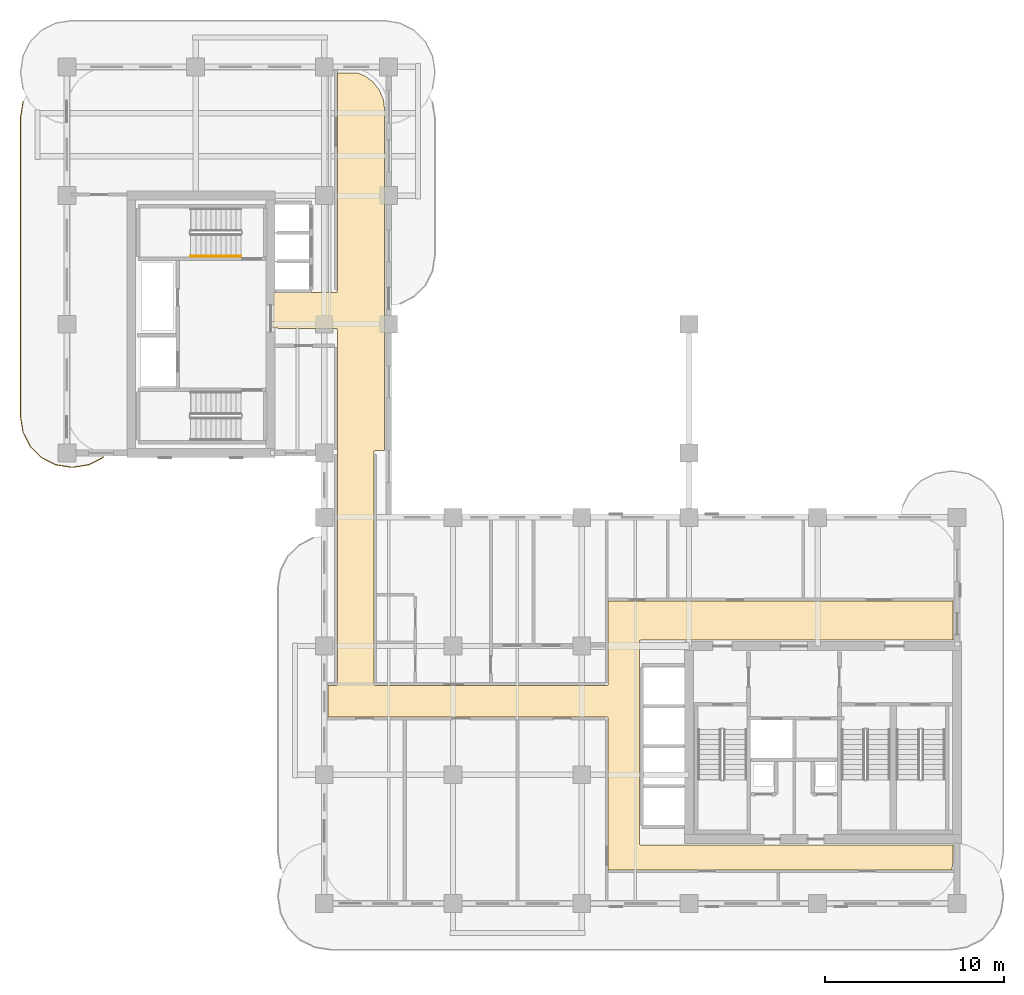
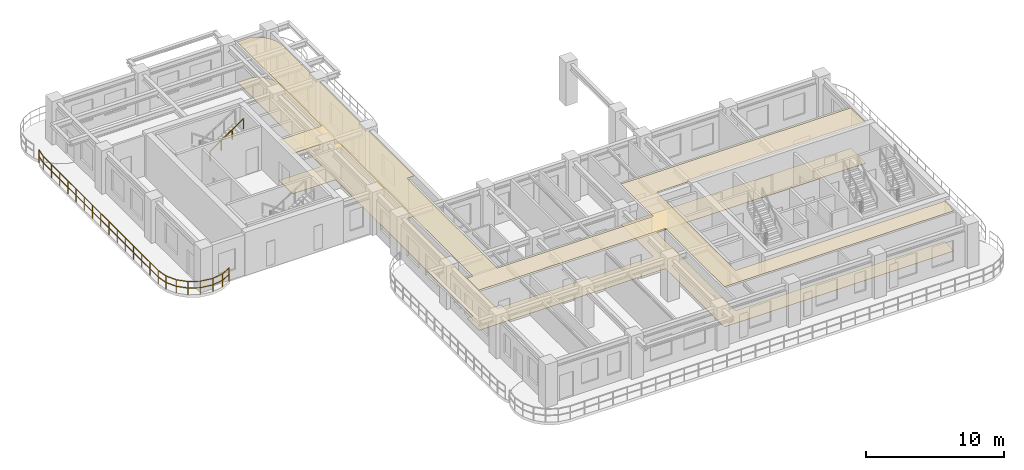
# One storey, part 14 of 15: 2 coverings, 2 railings.
"""IFC4 building model written with IfcOpenShell, lengths in metres."""

from ifc_helpers import new_model, si_unit, derived_unit, direction, frame, origin, origin_2d, place, context, subcontext, project, spatial, polyline, rectangle, outline, extrude, material, layer, layer_set, type_object, element, save


model = new_model("IFC4")

# Units and contexts
model_context = context("Model", 3, precision=1e-05, world=origin(), true_north=direction((0.0, 1.0)))
body_context = subcontext(model_context, "Body", "Model", "MODEL_VIEW")
ifc_project = project(units=[si_unit("LENGTHUNIT", "METRE"), si_unit("AREAUNIT", "SQUARE_METRE"), si_unit("VOLUMEUNIT", "CUBIC_METRE"), si_unit("PLANEANGLEUNIT", "RADIAN"), si_unit("MASSUNIT", "GRAM", prefix="KILO"), si_unit("THERMODYNAMICTEMPERATUREUNIT", "KELVIN"), si_unit("POWERUNIT", "WATT"), derived_unit("THERMALTRANSMITTANCEUNIT", [(si_unit("POWERUNIT", "WATT"), 1), (si_unit("AREAUNIT", "SQUARE_METRE"), -1), (si_unit("THERMODYNAMICTEMPERATUREUNIT", "KELVIN"), -1)])], contexts=[model_context])

# Site, building, storey
site_placement = place(None, origin())
site = spatial("IfcSite", under=ifc_project, at=site_placement, CompositionType="ELEMENT")
building_placement = place(site_placement, origin())
building = spatial("IfcBuilding", under=site, at=building_placement, Name="Zahravan Archway Hotel and Residences", CompositionType="ELEMENT")
storey_placement = place(building_placement, frame((0.0, 0.0, 184.949951171875)))
storey = spatial("IfcBuildingStorey", under=building, at=storey_placement, Name="L46", CompositionType="ELEMENT", Elevation=184.949951171875)

# Coverings
ifc_material_1 = material(Name="Perforated Acoustic Gypsum Ceiling")
ifc_layer_1 = layer(ifc_material_1, 0.02490234375, Name="Perforated Acoustic Gypsum Ceiling")
ifc_layer_set_1 = layer_set([ifc_layer_1], Name="Perforated Acoustic Gypsum Ceiling")
covering_type_1 = type_object("IfcCoveringType", Name="COV-CEIL-ACST", PredefinedType="CEILING", material=ifc_layer_set_1)
covering_1_placement = place(storey_placement, frame((0.0, 0.0, 3.574951171875)))
element("IfcCovering", 1, at=covering_1_placement, inside=storey, type_object=covering_type_1, Name="L46 Acoustic Corridor Ceiling", PredefinedType="CEILING", context=body_context, shape_type="SweptSolid", body=[
    extrude(outline(polyline([(32.09228515625, 14.7294921875), (32.04931640625, 14.7119140625), (32.0234375, 14.673095703125), (32.02001953125, 3.35009765625), (32.033447265625, 3.3056640625), (32.0693359375, 3.276123046875), (49.580078125, 3.27001953125), (49.580078125, 2.414306640625), (49.509521484375, 1.8798828125), (30.280029296875, 1.8798828125), (30.280029296875, 10.35009765625), (30.2666015625, 10.394287109375), (30.230712890625, 10.423828125), (14.6201171875, 10.429931640625), (14.6201171875, 12.18994140625), (15.050048828125, 12.18994140625), (15.094482421875, 12.20361328125), (15.123779296875, 12.239501953125), (15.1298828125, 32.10009765625), (15.116455078125, 32.144287109375), (15.08056640625, 32.173828125), (11.530029296875, 32.179931640625), (11.530029296875, 34.169921875), (15.050048828125, 34.169921875), (15.094482421875, 34.18359375), (15.123779296875, 34.219482421875), (15.1298828125, 46.469970703125), (16.24560546875, 46.469970703125), (16.689208984375, 46.286376953125), (17.14013671875, 45.940185546875), (17.486328125, 45.489013671875), (17.703857421875, 44.9638671875), (17.77001953125, 44.46142578125), (17.77001953125, 25.330078125), (17.25, 25.330078125), (17.20556640625, 25.31640625), (17.176025390625, 25.280517578125), (17.169921875, 12.27001953125), (17.18359375, 12.2255859375), (17.219482421875, 12.196044921875), (30.199951171875, 12.18994140625), (30.244384765625, 12.20361328125), (30.27392578125, 12.239501953125), (30.280029296875, 16.919921875), (49.580078125, 16.919921875), (49.580078125, 14.72998046875), (32.10009765625, 14.72998046875), (32.09228515625, 14.7294921875)])), origin(), (0.0, 0.0, 1.0), 0.025146484375),
])
ifc_material_2 = material(Name="Honed Margalla Limestone & Mortar Bed", Category="masonry")
ifc_layer_2 = layer(ifc_material_2, 0.030029296875, Name="Honed Margalla Limestone & Mortar Bed", Category="masonry")
ifc_layer_set_2 = layer_set([ifc_layer_2], Name="Honed Margalla Limestone & Mortar Bed")
covering_type_2 = type_object("IfcCoveringType", Name="COV-FLR-STONE", PredefinedType="FLOORING", material=ifc_layer_set_2)
covering_2_placement = place(storey_placement, origin())
element("IfcCovering", 2, at=covering_2_placement, inside=storey, type_object=covering_type_2, Name="L46 Circulation Floor Finish", PredefinedType="FLOORING", context=body_context, shape_type="SweptSolid", body=[
    extrude(outline(polyline([(32.09228515625, 14.7294921875), (32.04931640625, 14.7119140625), (32.0234375, 14.673095703125), (32.02001953125, 3.35009765625), (32.033447265625, 3.3056640625), (32.0693359375, 3.276123046875), (49.580078125, 3.27001953125), (49.580078125, 2.414306640625), (49.509521484375, 1.8798828125), (30.280029296875, 1.8798828125), (30.280029296875, 10.35009765625), (30.2666015625, 10.394287109375), (30.230712890625, 10.423828125), (14.6201171875, 10.429931640625), (14.6201171875, 12.18994140625), (15.050048828125, 12.18994140625), (15.094482421875, 12.20361328125), (15.123779296875, 12.239501953125), (15.1298828125, 32.10009765625), (15.116455078125, 32.144287109375), (15.08056640625, 32.173828125), (11.530029296875, 32.179931640625), (11.530029296875, 34.169921875), (15.050048828125, 34.169921875), (15.094482421875, 34.18359375), (15.123779296875, 34.219482421875), (15.1298828125, 46.469970703125), (16.24560546875, 46.469970703125), (16.689208984375, 46.286376953125), (17.14013671875, 45.940185546875), (17.486328125, 45.489013671875), (17.703857421875, 44.9638671875), (17.77001953125, 44.46142578125), (17.77001953125, 25.330078125), (17.25, 25.330078125), (17.20556640625, 25.31640625), (17.176025390625, 25.280517578125), (17.169921875, 12.27001953125), (17.18359375, 12.2255859375), (17.219482421875, 12.196044921875), (30.199951171875, 12.18994140625), (30.244384765625, 12.20361328125), (30.27392578125, 12.239501953125), (30.280029296875, 16.919921875), (49.580078125, 16.919921875), (49.580078125, 14.72998046875), (32.10009765625, 14.72998046875), (32.09228515625, 14.7294921875)])), origin(), (0.0, 0.0, 1.0), 0.030029296875),
])

# Railings
ifc_material_3 = material(Name="Bronze & Laminated Glass Balustrade", Category="glass")
railing_type_1 = type_object("IfcRailingType", Name="RL-BAL-1200", PredefinedType="BALUSTRADE", material=ifc_material_3)
railing_1_placement = place(storey_placement, frame((2.025146484375, 24.9443359375, 0.0)))
element("IfcRailing", 3, at=railing_1_placement, inside=storey, type_object=railing_type_1, Name="L46 Balustrade RL-SLB-BAL-L46-WB-1", PredefinedType="BALUSTRADE", context=body_context, shape_type="SweptSolid", body=[
    extrude(rectangle(XDim=0.048095703125, YDim=0.048095703125, at=origin_2d()), frame((0.0, 0.0, 1.17578125), z_axis=(-0.891006060389, -0.453991409995, 0.0), x_axis=(0.453991409995, -0.891006060389, 0.0)), (0.0, 0.0, 1.0), 0.8916015625),
    extrude(rectangle(XDim=0.048095703125, YDim=0.048095703125, at=origin_2d()), frame((0.0, 0.0, 0.60009765625), z_axis=(-0.891006060389, -0.453991409995, 0.0), x_axis=(0.453991409995, -0.891006060389, 0.0)), (0.0, 0.0, 1.0), 0.8916015625),
    extrude(rectangle(XDim=0.048095703125, YDim=0.048095703125, at=origin_2d()), frame((-0.79443359375, -0.40478515625, 1.17578125), z_axis=(-0.987658397726, -0.156623399917, 0.0), x_axis=(0.156623399917, -0.987658397726, 0.0)), (0.0, 0.0, 1.0), 0.8916015625),
    extrude(rectangle(XDim=0.048095703125, YDim=0.048095703125, at=origin_2d()), frame((-0.79443359375, -0.40478515625, 0.60009765625), z_axis=(-0.987658397726, -0.156623399917, 0.0), x_axis=(0.156623399917, -0.987658397726, 0.0)), (0.0, 0.0, 1.0), 0.8916015625),
    extrude(rectangle(XDim=0.048095703125, YDim=0.048095703125, at=origin_2d()), frame((-1.675048828125, -0.54443359375, 1.17578125), z_axis=(-1.0, 0.0, 0.0), x_axis=(0.0, -1.0, 0.0)), (0.0, 0.0, 1.0), 0.10009765625),
    extrude(rectangle(XDim=0.048095703125, YDim=0.048095703125, at=origin_2d()), frame((-1.675048828125, -0.54443359375, 0.60009765625), z_axis=(-1.0, 0.0, 0.0), x_axis=(0.0, -1.0, 0.0)), (0.0, 0.0, 1.0), 0.10009765625),
    extrude(rectangle(XDim=0.048095703125, YDim=0.048095703125, at=origin_2d()), frame((-1.775146484375, -0.54443359375, 1.17578125), z_axis=(-0.987658397726, 0.156623399917, 0.0), x_axis=(-0.156623399917, -0.987658397726, 0.0)), (0.0, 0.0, 1.0), 0.8916015625),
    extrude(rectangle(XDim=0.048095703125, YDim=0.048095703125, at=origin_2d()), frame((-1.775146484375, -0.54443359375, 0.60009765625), z_axis=(-0.987658397726, 0.156623399917, 0.0), x_axis=(-0.156623399917, -0.987658397726, 0.0)), (0.0, 0.0, 1.0), 0.8916015625),
    extrude(rectangle(XDim=0.048095703125, YDim=0.048095703125, at=origin_2d()), frame((-2.65576171875, -0.40478515625, 1.17578125), z_axis=(-0.891062476022, 0.45388067135, 0.0), x_axis=(-0.45388067135, -0.891062476022, 0.0)), (0.0, 0.0, 1.0), 0.891845703125),
    extrude(rectangle(XDim=0.048095703125, YDim=0.048095703125, at=origin_2d()), frame((-2.65576171875, -0.40478515625, 0.60009765625), z_axis=(-0.891062476022, 0.45388067135, 0.0), x_axis=(-0.45388067135, -0.891062476022, 0.0)), (0.0, 0.0, 1.0), 0.891845703125),
    extrude(rectangle(XDim=0.048095703125, YDim=0.048095703125, at=origin_2d()), frame((-3.450439453125, 0.0, 1.17578125), z_axis=(-0.707106781187, 0.707106781187, 0.0), x_axis=(-0.707106781187, -0.707106781187, 0.0)), (0.0, 0.0, 1.0), 0.891357421875),
    extrude(rectangle(XDim=0.048095703125, YDim=0.048095703125, at=origin_2d()), frame((-3.450439453125, 0.0, 0.60009765625), z_axis=(-0.707106781187, 0.707106781187, 0.0), x_axis=(-0.707106781187, -0.707106781187, 0.0)), (0.0, 0.0, 1.0), 0.891357421875),
    extrude(rectangle(XDim=0.048095703125, YDim=0.048095703125, at=origin_2d()), frame((-4.080810546875, 0.63037109375, 1.17578125), z_axis=(-0.45388067135, 0.891062476022, 0.0), x_axis=(-0.891062476022, -0.45388067135, 0.0)), (0.0, 0.0, 1.0), 0.891845703125),
    extrude(rectangle(XDim=0.048095703125, YDim=0.048095703125, at=origin_2d()), frame((-4.080810546875, 0.63037109375, 0.60009765625), z_axis=(-0.45388067135, 0.891062476022, 0.0), x_axis=(-0.891062476022, -0.45388067135, 0.0)), (0.0, 0.0, 1.0), 0.891845703125),
    extrude(rectangle(XDim=0.048095703125, YDim=0.048095703125, at=origin_2d()), frame((-4.485595703125, 1.425048828125, 1.17578125), z_axis=(-0.156623399917, 0.987658397726, 0.0), x_axis=(-0.987658397726, -0.156623399917, 0.0)), (0.0, 0.0, 1.0), 0.8916015625),
    extrude(rectangle(XDim=0.048095703125, YDim=0.048095703125, at=origin_2d()), frame((-4.485595703125, 1.425048828125, 0.60009765625), z_axis=(-0.156623399917, 0.987658397726, 0.0), x_axis=(-0.987658397726, -0.156623399917, 0.0)), (0.0, 0.0, 1.0), 0.8916015625),
    extrude(rectangle(XDim=0.048095703125, YDim=0.048095703125, at=origin_2d()), frame((-4.625244140625, 2.3056640625, 1.17578125), z_axis=(0.0, 1.0, 0.0), x_axis=(-1.0, 0.0, 0.0)), (0.0, 0.0, 1.0), 16.699951171875),
    extrude(rectangle(XDim=0.048095703125, YDim=0.048095703125, at=origin_2d()), frame((-4.625244140625, 2.3056640625, 0.60009765625), z_axis=(0.0, 1.0, 0.0), x_axis=(-1.0, 0.0, 0.0)), (0.0, 0.0, 1.0), 16.699951171875),
    extrude(rectangle(XDim=0.048095703125, YDim=0.048095703125, at=origin_2d()), frame((-4.625244140625, 19.005615234375, 1.17578125), z_axis=(0.156581054338, 0.98766511198, 0.0), x_axis=(-0.98766511198, 0.156581054338, 0.0)), (0.0, 0.0, 1.0), 0.891845703125),
    extrude(rectangle(XDim=0.048095703125, YDim=0.048095703125, at=origin_2d()), frame((-4.625244140625, 19.005615234375, 0.60009765625), z_axis=(0.156581054338, 0.98766511198, 0.0), x_axis=(-0.98766511198, 0.156581054338, 0.0)), (0.0, 0.0, 1.0), 0.891845703125),
    extrude(rectangle(XDim=0.0419921875, YDim=0.0419921875, at=origin_2d()), origin(), (0.0, 0.0, 1.0), 1.15185546875),
    extrude(rectangle(XDim=0.0419921875, YDim=0.0419921875, at=origin_2d()), frame((-0.79443359375, -0.40478515625, 0.0)), (0.0, 0.0, 1.0), 1.15185546875),
    extrude(rectangle(XDim=0.0419921875, YDim=0.0419921875, at=origin_2d()), frame((-1.675048828125, -0.54443359375, 0.0)), (0.0, 0.0, 1.0), 1.15185546875),
    extrude(rectangle(XDim=0.0419921875, YDim=0.0419921875, at=origin_2d()), frame((-2.65576171875, -0.40478515625, 0.0)), (0.0, 0.0, 1.0), 1.15185546875),
    extrude(rectangle(XDim=0.0419921875, YDim=0.0419921875, at=origin_2d()), frame((-3.450439453125, 0.0, 0.0)), (0.0, 0.0, 1.0), 1.15185546875),
    extrude(rectangle(XDim=0.0419921875, YDim=0.0419921875, at=origin_2d()), frame((-4.080810546875, 0.63037109375, 0.0)), (0.0, 0.0, 1.0), 1.15185546875),
    extrude(rectangle(XDim=0.0419921875, YDim=0.0419921875, at=origin_2d()), frame((-4.485595703125, 1.425048828125, 0.0)), (0.0, 0.0, 1.0), 1.15185546875),
    extrude(rectangle(XDim=0.0419921875, YDim=0.0419921875, at=origin_2d()), frame((-4.625244140625, 2.3056640625, 0.0)), (0.0, 0.0, 1.0), 1.15185546875),
    extrude(rectangle(XDim=0.0419921875, YDim=0.0419921875, at=origin_2d()), frame((-4.625244140625, 3.49853515625, 0.0)), (0.0, 0.0, 1.0), 1.15185546875),
    extrude(rectangle(XDim=0.0419921875, YDim=0.0419921875, at=origin_2d()), frame((-4.625244140625, 4.69140625, 0.0)), (0.0, 0.0, 1.0), 1.15185546875),
    extrude(rectangle(XDim=0.0419921875, YDim=0.0419921875, at=origin_2d()), frame((-4.625244140625, 5.88427734375, 0.0)), (0.0, 0.0, 1.0), 1.15185546875),
    extrude(rectangle(XDim=0.0419921875, YDim=0.0419921875, at=origin_2d()), frame((-4.625244140625, 7.0771484375, 0.0)), (0.0, 0.0, 1.0), 1.15185546875),
    extrude(rectangle(XDim=0.0419921875, YDim=0.0419921875, at=origin_2d()), frame((-4.625244140625, 8.27001953125, 0.0)), (0.0, 0.0, 1.0), 1.15185546875),
    extrude(rectangle(XDim=0.0419921875, YDim=0.0419921875, at=origin_2d()), frame((-4.625244140625, 9.462890625, 0.0)), (0.0, 0.0, 1.0), 1.15185546875),
    extrude(rectangle(XDim=0.0419921875, YDim=0.0419921875, at=origin_2d()), frame((-4.625244140625, 10.65576171875, 0.0)), (0.0, 0.0, 1.0), 1.15185546875),
    extrude(rectangle(XDim=0.0419921875, YDim=0.0419921875, at=origin_2d()), frame((-4.625244140625, 11.848388671875, 0.0)), (0.0, 0.0, 1.0), 1.15185546875),
    extrude(rectangle(XDim=0.0419921875, YDim=0.0419921875, at=origin_2d()), frame((-4.625244140625, 13.041259765625, 0.0)), (0.0, 0.0, 1.0), 1.15185546875),
    extrude(rectangle(XDim=0.0419921875, YDim=0.0419921875, at=origin_2d()), frame((-4.625244140625, 14.234130859375, 0.0)), (0.0, 0.0, 1.0), 1.15185546875),
    extrude(rectangle(XDim=0.0419921875, YDim=0.0419921875, at=origin_2d()), frame((-4.625244140625, 15.427001953125, 0.0)), (0.0, 0.0, 1.0), 1.15185546875),
    extrude(rectangle(XDim=0.0419921875, YDim=0.0419921875, at=origin_2d()), frame((-4.625244140625, 16.619873046875, 0.0)), (0.0, 0.0, 1.0), 1.15185546875),
    extrude(rectangle(XDim=0.0419921875, YDim=0.0419921875, at=origin_2d()), frame((-4.625244140625, 17.812744140625, 0.0)), (0.0, 0.0, 1.0), 1.15185546875),
    extrude(rectangle(XDim=0.0419921875, YDim=0.0419921875, at=origin_2d()), frame((-4.625244140625, 19.005615234375, 0.0)), (0.0, 0.0, 1.0), 1.15185546875),
    extrude(rectangle(XDim=0.0419921875, YDim=0.0419921875, at=origin_2d()), frame((-4.485595703125, 19.886474609375, 0.0)), (0.0, 0.0, 1.0), 1.15185546875),
])
ifc_material_4 = material(Name="Brushed Stainless Steel", Category="steel")
railing_type_2 = type_object("IfcRailingType", Name="RL-STH-900", PredefinedType="HANDRAIL", material=ifc_material_4)
railing_2_placement = place(storey_placement, frame((6.929931640625, 36.2099609375, 2.10009765625)))
element("IfcRailing", 4, at=railing_2_placement, inside=storey, type_object=railing_type_2, Name="L46 ST-B2 stair handrail 2", PredefinedType="HANDRAIL", context=body_context, shape_type="SweptSolid", body=[
    extrude(rectangle(XDim=0.048095703125, YDim=0.048095703125, at=origin_2d()), frame((0.0, 0.0, 0.8759765625), z_axis=(0.824039827795, 0.0, 0.566531872191), x_axis=(0.0, 1.0, 0.0)), (0.0, 0.0, 1.0), 3.39794921875),
    extrude(rectangle(XDim=0.0419921875, YDim=0.0419921875, at=origin_2d()), origin(), (0.0, 0.0, 1.0), 0.851806640625),
    extrude(rectangle(XDim=0.0419921875, YDim=0.0419921875, at=origin_2d()), frame((0.933349609375, 0.0, 0.6416015625)), (0.0, 0.0, 1.0), 0.851806640625),
    extrude(rectangle(XDim=0.0419921875, YDim=0.0419921875, at=origin_2d()), frame((1.86669921875, 0.0, 1.283447265625)), (0.0, 0.0, 1.0), 0.851806640625),
    extrude(rectangle(XDim=0.0419921875, YDim=0.0419921875, at=origin_2d()), frame((2.800048828125, 0.0, 1.925048828125)), (0.0, 0.0, 1.0), 0.851806640625),
])

save(model, "model.ifc")
